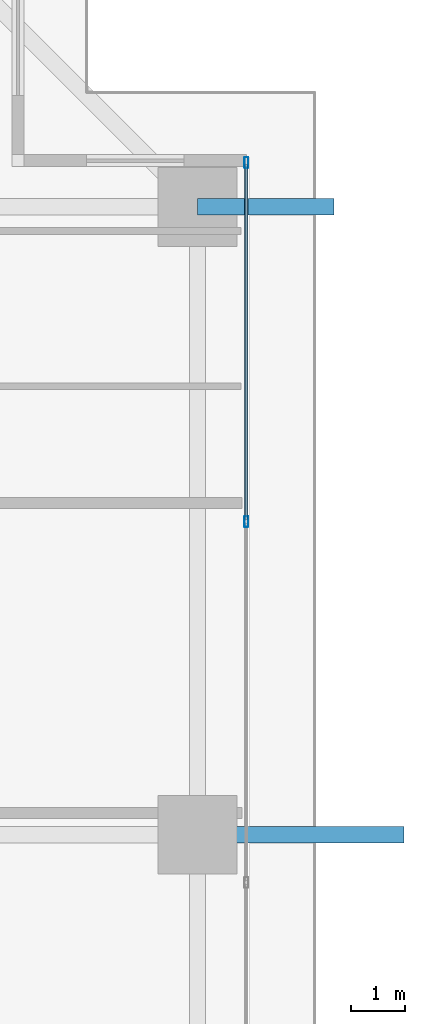
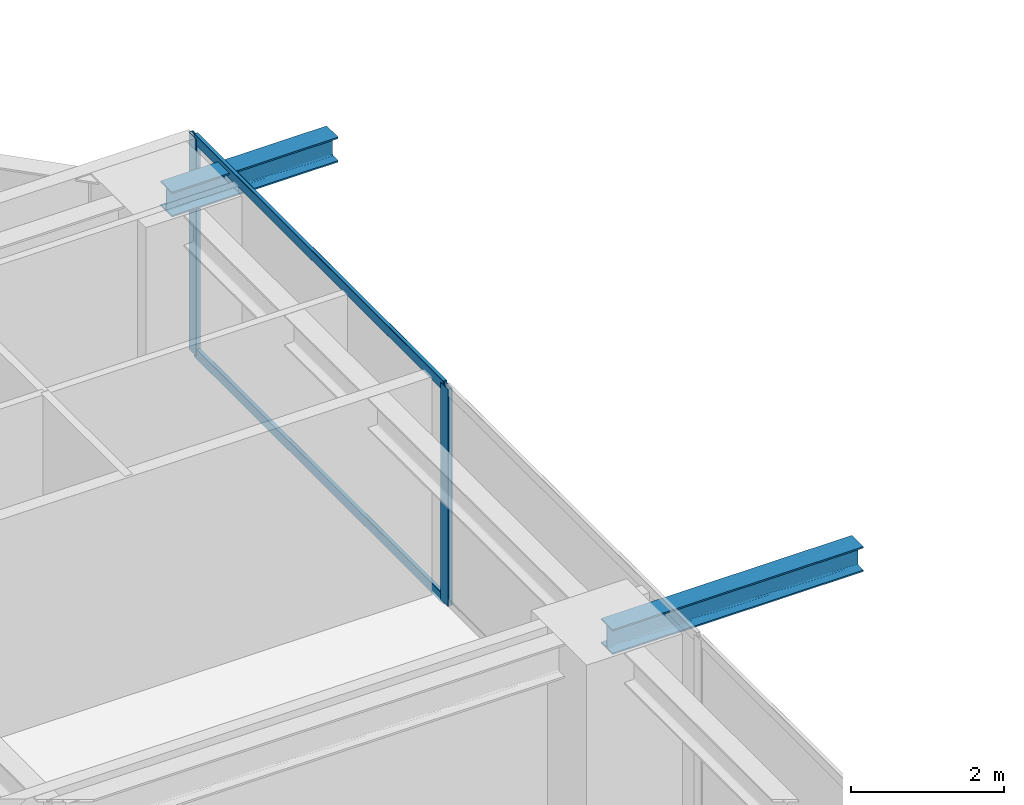
# One storey, part 23 of 40: 4 members, 2 beams, 1 element without a shape of its own.
"""IFC4 building model written with IfcOpenShell, lengths in metres."""

from ifc_helpers import new_model, si_unit, direction, frame, origin, origin_2d, place, context, subcontext, project, spatial, hollow_rectangle, i_section, extrude, source, transform, mapped, material, layer, layer_set, material_profile, profile_set, type_object, element, aggregate, save


model = new_model("IFC4")

# Units and contexts
model_context = context("Model", 3, precision=1e-05, world=origin(), true_north=direction((0.0, 1.0)))
body_context = subcontext(model_context, "Body", "Model", "MODEL_VIEW")
ifc_project = project(units=[si_unit("LENGTHUNIT", "METRE"), si_unit("AREAUNIT", "SQUARE_METRE"), si_unit("VOLUMEUNIT", "CUBIC_METRE"), si_unit("PLANEANGLEUNIT", "RADIAN"), si_unit("MASSUNIT", "GRAM", prefix="KILO")], contexts=[model_context])

# Site, building, storey
site_placement = place(None, origin())
site = spatial("IfcSite", under=ifc_project, at=site_placement, CompositionType="ELEMENT")
building_placement = place(site_placement, origin())
building = spatial("IfcBuilding", under=site, at=building_placement, Name="Serunith Strait Residences", CompositionType="ELEMENT")
storey_placement = place(building_placement, frame((0.0, 0.0, 90.449951171875)))
storey = spatial("IfcBuildingStorey", under=building, at=storey_placement, Name="L22", CompositionType="ELEMENT", Elevation=90.449951171875)

# Beams
ifc_material_1 = material(Name="Steel S355J2", Category="steel")
ifc_material_profile_1 = material_profile(ifc_material_1, i_section(OverallWidth=0.300048828125, OverallDepth=0.39990234375, WebThickness=0.013427734375, FlangeThickness=0.02392578125, FilletRadius=0.027099609375, at=origin_2d()), Name="HEB 400")
ifc_profile_set_1 = profile_set([ifc_material_profile_1], Name="Steel S355J2")
beam_type = type_object("IfcBeamType", Name="BM-HEB400", PredefinedType="BEAM", material=ifc_profile_set_1)
shared_shape_1 = source(origin(), body_context, "Body", "SweptSolid", [
    extrude(i_section(OverallWidth=0.300048828125, OverallDepth=0.39990234375, WebThickness=0.013427734375, FlangeThickness=0.02392578125, FilletRadius=0.027099609375, at=origin_2d()), origin(), (0.0, 0.0, 1.0), 3.800048828125),
])
beam_1_placement = place(storey_placement, frame((57.89990234375, 29.39990234375, 3.257080078125), z_axis=(1.0, 0.0, 0.0), x_axis=(0.0, 1.0, 0.0)))
element("IfcBeam", 1, at=beam_1_placement, inside=storey, type_object=beam_type, Name="L23 Cantilevered Balcony Rib TC-E3", PredefinedType="BEAM", context=body_context, shape_type="MappedRepresentation", body=[
    mapped(shared_shape_1, transform((0.0, 0.0, 0.0), scale=1.0)),
])
shared_shape_2 = source(origin(), body_context, "Body", "SweptSolid", [
    extrude(i_section(OverallWidth=0.300048828125, OverallDepth=0.39990234375, WebThickness=0.013427734375, FlangeThickness=0.02392578125, FilletRadius=0.027099609375, at=origin_2d()), origin(), (0.0, 0.0, 1.0), 2.51611328125),
])
beam_2_placement = place(storey_placement, frame((57.89990234375, 40.949951171875, 3.257080078125), z_axis=(1.0, 0.0, 0.0), x_axis=(0.0, 1.0, 0.0)))
element("IfcBeam", 2, at=beam_2_placement, inside=storey, type_object=beam_type, Name="L23 Cantilevered Balcony Rib TC-E4", PredefinedType="BEAM", context=body_context, shape_type="MappedRepresentation", body=[
    mapped(shared_shape_2, transform((0.0, 0.0, 0.0), scale=1.0)),
])

# Curtain wall, members
ifc_material_2 = material(Name="Pale-Champagne Anodised Aluminium", Category="aluminium")
ifc_layer = layer(ifc_material_2, 0.199951171875, Name="Pale-Champagne Anodised Aluminium")
ifc_layer_set = layer_set([ifc_layer], Name="Pale-Champagne Anodised Aluminium")
curtain_wall_type = type_object("IfcCurtainWallType", Name="CW-SYS1", PredefinedType="NOTDEFINED", material=ifc_layer_set)
curtain_wall_placement = place(storey_placement, origin())
curtain_wall = element("IfcCurtainWall", 3, at=curtain_wall_placement, inside=storey, type_object=curtain_wall_type, Name="L22 E Unitised Fritted Curtain Wall", PredefinedType="NOTDEFINED")
ifc_material_profile_2 = material_profile(ifc_material_2, hollow_rectangle(XDim=0.070068359375, YDim=0.199951171875, WallThickness=0.00390625, InnerFilletRadius=0.006103515625, OuterFilletRadius=0.010009765625, at=origin_2d()), Name="ALU 200x70x4")
ifc_profile_set_2 = profile_set([ifc_material_profile_2], Name="Pale-Champagne Anodised Aluminium")
member_type_1 = type_object("IfcMemberType", Name="CW-SYS1-MULL", PredefinedType="MULLION", material=ifc_profile_set_2)
shared_shape_3 = source(origin(), body_context, "Body", "SweptSolid", [
    extrude(hollow_rectangle(XDim=0.070068359375, YDim=0.199951171875, WallThickness=0.00390625, InnerFilletRadius=0.006103515625, OuterFilletRadius=0.010009765625, at=origin_2d()), origin(), (0.0, 0.0, 1.0), 3.47509765625),
])
member_1_placement = place(storey_placement, frame((58.800048828125, 35.159912109375, 0.0), z_axis=(0.0, 0.0, 1.0), x_axis=(-1.0, 0.0, 0.0)))
member_1 = element("IfcMember", 4, at=member_1_placement, type_object=member_type_1, Name="CW-1 mullion 5", PredefinedType="MULLION", context=body_context, shape_type="MappedRepresentation", body=[
    mapped(shared_shape_3, transform((0.0, 0.0, 0.0), scale=1.0)),
])
member_2_placement = place(storey_placement, frame((58.800048828125, 41.764892578125, 0.0), z_axis=(0.0, 0.0, 1.0), x_axis=(-1.0, 0.0, 0.0)))
member_2 = element("IfcMember", 5, at=member_2_placement, type_object=member_type_1, Name="CW-1 mullion 6", PredefinedType="MULLION", context=body_context, shape_type="MappedRepresentation", body=[
    mapped(shared_shape_3, transform((0.0, 0.0, 0.0), scale=1.0)),
])
ifc_material_profile_3 = material_profile(ifc_material_2, hollow_rectangle(XDim=0.06005859375, YDim=0.159912109375, WallThickness=0.00341796875, InnerFilletRadius=0.00537109375, OuterFilletRadius=0.0087890625, at=origin_2d()), Name="ALU 160x60x3.5")
ifc_profile_set_3 = profile_set([ifc_material_profile_3], Name="Pale-Champagne Anodised Aluminium")
member_type_2 = type_object("IfcMemberType", Name="CW-SYS1-TRAN", PredefinedType="USERDEFINED", material=ifc_profile_set_3)
shared_shape_4 = source(origin(), body_context, "Body", "SweptSolid", [
    extrude(hollow_rectangle(XDim=0.06005859375, YDim=0.159912109375, WallThickness=0.00341796875, InnerFilletRadius=0.00537109375, OuterFilletRadius=0.0087890625, at=origin_2d()), origin(), (0.0, 0.0, 1.0), 6.534912109375),
])
member_3_placement = place(storey_placement, frame((58.800048828125, 35.195068359375, 0.030029296875), z_axis=(0.0, 1.0, 0.0), x_axis=(-1.0, 0.0, 0.0)))
member_3 = element("IfcMember", 6, at=member_3_placement, type_object=member_type_2, Name="CW-1 transom 5.1", ObjectType="TRANSOM", PredefinedType="USERDEFINED", context=body_context, shape_type="MappedRepresentation", body=[
    mapped(shared_shape_4, transform((0.0, 0.0, 0.0), scale=1.0)),
])
member_4_placement = place(storey_placement, frame((58.800048828125, 35.195068359375, 3.445068359375), z_axis=(0.0, 1.0, 0.0), x_axis=(-1.0, 0.0, 0.0)))
member_4 = element("IfcMember", 7, at=member_4_placement, type_object=member_type_2, Name="CW-1 transom 5.2", ObjectType="TRANSOM", PredefinedType="USERDEFINED", context=body_context, shape_type="MappedRepresentation", body=[
    mapped(shared_shape_4, transform((0.0, 0.0, 0.0), scale=1.0)),
])
aggregate(curtain_wall, [member_1, member_2, member_3, member_4])

save(model, "model.ifc")
